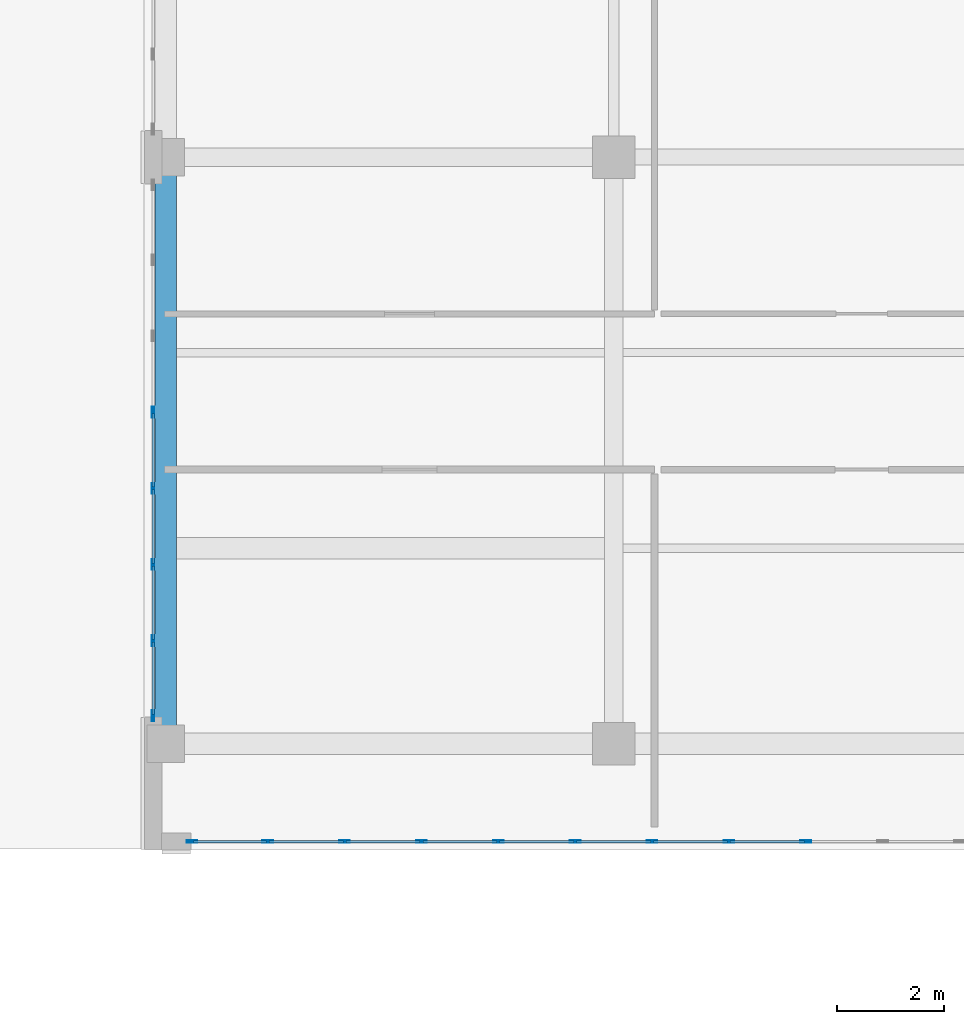
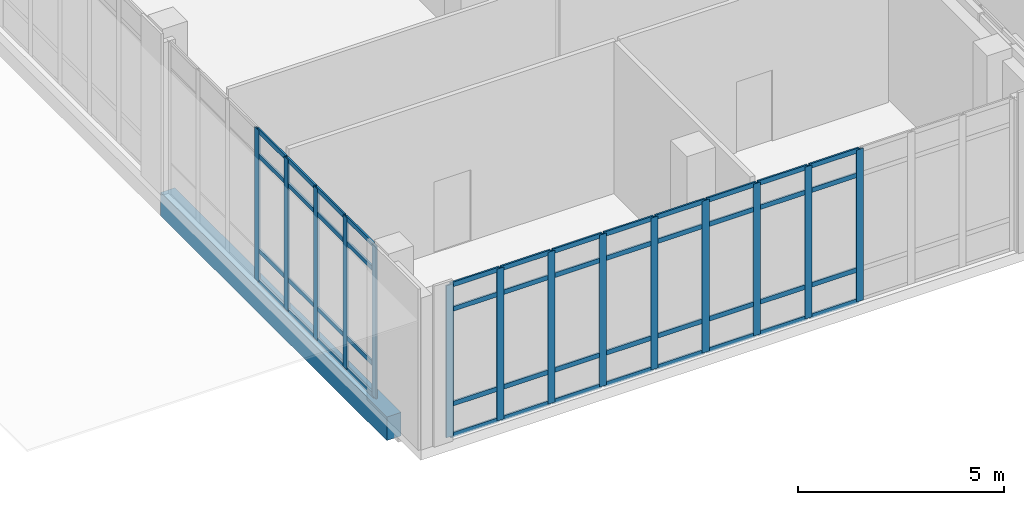
# One storey, part 2 of 189: 62 members, 1 beam, 2 elements without a shape of their own.
"""IFC4 building model written with IfcOpenShell, lengths in metres."""

from ifc_helpers import new_model, si_unit, direction, frame, origin, origin_2d, place, context, subcontext, project, spatial, rectangle, hollow_rectangle, extrude, material, layer, layer_set, material_profile, profile_set, type_object, element, aggregate, save


model = new_model("IFC4")

# Units and contexts
model_context = context("Model", 3, precision=1e-05, world=origin(), true_north=direction((0.0, 1.0)))
body_context = subcontext(model_context, "Body", "Model", "MODEL_VIEW")
ifc_project = project(units=[si_unit("LENGTHUNIT", "METRE"), si_unit("AREAUNIT", "SQUARE_METRE"), si_unit("VOLUMEUNIT", "CUBIC_METRE"), si_unit("PLANEANGLEUNIT", "RADIAN"), si_unit("MASSUNIT", "GRAM", prefix="KILO")], contexts=[model_context])

# Site, building, storey
site_placement = place(None, origin())
site = spatial("IfcSite", under=ifc_project, at=site_placement, CompositionType="ELEMENT")
building_placement = place(site_placement, origin())
building = spatial("IfcBuilding", under=site, at=building_placement, Name="Qalavern Law Courts", CompositionType="ELEMENT")
storey_placement = place(building_placement, frame((0.0, 0.0, 5.39990234375)))
storey = spatial("IfcBuildingStorey", under=building, at=storey_placement, Name="L01", CompositionType="ELEMENT", Elevation=5.39990234375)

# Curtain wall, members
ifc_material_1 = material(Name="Anodised aluminium and insulated glazing", Category="aluminium")
ifc_layer = layer(ifc_material_1, 0.199951171875)
ifc_layer_set = layer_set([ifc_layer], Name="Anodised aluminium and insulated glazing")
curtain_wall_type = type_object("IfcCurtainWallType", Name="ENV-CW-FOYER", PredefinedType="USERDEFINED", material=ifc_layer_set)
curtain_wall_1_placement = place(storey_placement, origin())
curtain_wall_1 = element("IfcCurtainWall", 1, at=curtain_wall_1_placement, inside=storey, type_object=curtain_wall_type, Name="V1 unitised curtain wall L01 south 1", ObjectType="UNITISED CURTAIN WALL", PredefinedType="USERDEFINED")
ifc_material_2 = material(Name="Anodised aluminium", Category="aluminium")
ifc_material_profile_1 = material_profile(ifc_material_2, hollow_rectangle(XDim=0.048095703125, YDim=0.199951171875, WallThickness=0.00439453125, at=origin_2d()), Name="ALU MULLION 48x200")
ifc_profile_set_1 = profile_set([ifc_material_profile_1], Name="Anodised aluminium")
member_type_1 = type_object("IfcMemberType", Name="ENV-CWM-48x200", PredefinedType="MULLION", material=ifc_profile_set_1)
member_1_placement = place(storey_placement, frame((17.2939453125, 8.16259765625, 0.0), z_axis=(0.0, 0.0, 1.0), x_axis=(0.0, 1.0, 0.0)))
member_1 = element("IfcMember", 2, at=member_1_placement, type_object=member_type_1, Name="CW-01 mullion 1", PredefinedType="MULLION", context=body_context, shape_type="SweptSolid", body=[
    extrude(hollow_rectangle(XDim=0.048095703125, YDim=0.199951171875, WallThickness=0.00439453125, at=origin_2d()), origin(), (0.0, 0.0, 1.0), 4.510009765625),
])
member_2_placement = place(storey_placement, frame((18.7119140625, 8.16259765625, 0.0), z_axis=(0.0, 0.0, 1.0), x_axis=(0.0, 1.0, 0.0)))
member_2 = element("IfcMember", 3, at=member_2_placement, type_object=member_type_1, Name="CW-01 mullion 2", PredefinedType="MULLION", context=body_context, shape_type="SweptSolid", body=[
    extrude(hollow_rectangle(XDim=0.048095703125, YDim=0.199951171875, WallThickness=0.00439453125, at=origin_2d()), origin(), (0.0, 0.0, 1.0), 4.510009765625),
])
member_3_placement = place(storey_placement, frame((20.153564453125, 8.16259765625, 0.0), z_axis=(0.0, 0.0, 1.0), x_axis=(0.0, 1.0, 0.0)))
member_3 = element("IfcMember", 4, at=member_3_placement, type_object=member_type_1, Name="CW-01 mullion 3", PredefinedType="MULLION", context=body_context, shape_type="SweptSolid", body=[
    extrude(hollow_rectangle(XDim=0.048095703125, YDim=0.199951171875, WallThickness=0.00439453125, at=origin_2d()), origin(), (0.0, 0.0, 1.0), 4.510009765625),
])
member_4_placement = place(storey_placement, frame((21.595458984375, 8.16259765625, 0.0), z_axis=(0.0, 0.0, 1.0), x_axis=(0.0, 1.0, 0.0)))
member_4 = element("IfcMember", 5, at=member_4_placement, type_object=member_type_1, Name="CW-01 mullion 4", PredefinedType="MULLION", context=body_context, shape_type="SweptSolid", body=[
    extrude(hollow_rectangle(XDim=0.048095703125, YDim=0.199951171875, WallThickness=0.00439453125, at=origin_2d()), origin(), (0.0, 0.0, 1.0), 4.510009765625),
])
member_5_placement = place(storey_placement, frame((23.037353515625, 8.16259765625, 0.0), z_axis=(0.0, 0.0, 1.0), x_axis=(0.0, 1.0, 0.0)))
member_5 = element("IfcMember", 6, at=member_5_placement, type_object=member_type_1, Name="CW-01 mullion 5", PredefinedType="MULLION", context=body_context, shape_type="SweptSolid", body=[
    extrude(hollow_rectangle(XDim=0.048095703125, YDim=0.199951171875, WallThickness=0.00439453125, at=origin_2d()), origin(), (0.0, 0.0, 1.0), 4.510009765625),
])
member_6_placement = place(storey_placement, frame((24.47900390625, 8.16259765625, 0.0), z_axis=(0.0, 0.0, 1.0), x_axis=(0.0, 1.0, 0.0)))
member_6 = element("IfcMember", 7, at=member_6_placement, type_object=member_type_1, Name="CW-01 mullion 6", PredefinedType="MULLION", context=body_context, shape_type="SweptSolid", body=[
    extrude(hollow_rectangle(XDim=0.048095703125, YDim=0.199951171875, WallThickness=0.00439453125, at=origin_2d()), origin(), (0.0, 0.0, 1.0), 4.510009765625),
])
member_7_placement = place(storey_placement, frame((25.9208984375, 8.16259765625, 0.0), z_axis=(0.0, 0.0, 1.0), x_axis=(0.0, 1.0, 0.0)))
member_7 = element("IfcMember", 8, at=member_7_placement, type_object=member_type_1, Name="CW-01 mullion 7", PredefinedType="MULLION", context=body_context, shape_type="SweptSolid", body=[
    extrude(hollow_rectangle(XDim=0.048095703125, YDim=0.199951171875, WallThickness=0.00439453125, at=origin_2d()), origin(), (0.0, 0.0, 1.0), 4.510009765625),
])
member_8_placement = place(storey_placement, frame((27.36279296875, 8.16259765625, 0.0), z_axis=(0.0, 0.0, 1.0), x_axis=(0.0, 1.0, 0.0)))
member_8 = element("IfcMember", 9, at=member_8_placement, type_object=member_type_1, Name="CW-01 mullion 8", PredefinedType="MULLION", context=body_context, shape_type="SweptSolid", body=[
    extrude(hollow_rectangle(XDim=0.048095703125, YDim=0.199951171875, WallThickness=0.00439453125, at=origin_2d()), origin(), (0.0, 0.0, 1.0), 4.510009765625),
])
member_9_placement = place(storey_placement, frame((28.804443359375, 8.16259765625, 0.0), z_axis=(0.0, 0.0, 1.0), x_axis=(0.0, 1.0, 0.0)))
member_9 = element("IfcMember", 10, at=member_9_placement, type_object=member_type_1, Name="CW-01 mullion 9", PredefinedType="MULLION", context=body_context, shape_type="SweptSolid", body=[
    extrude(hollow_rectangle(XDim=0.048095703125, YDim=0.199951171875, WallThickness=0.00439453125, at=origin_2d()), origin(), (0.0, 0.0, 1.0), 4.510009765625),
])

curtain_wall_2_placement = place(storey_placement, origin())
curtain_wall_2 = element("IfcCurtainWall", 11, at=curtain_wall_2_placement, inside=storey, type_object=curtain_wall_type, Name="V1 unitised curtain wall L01 west 2", ObjectType="UNITISED CURTAIN WALL", PredefinedType="USERDEFINED")
member_10_placement = place(storey_placement, frame((16.5625, 16.21435546875, 0.0), z_axis=(0.0, 0.0, 1.0), x_axis=(1.0, 0.0, 0.0)))
member_10 = element("IfcMember", 12, at=member_10_placement, type_object=member_type_1, Name="CW-01 mullion 4", PredefinedType="MULLION", context=body_context, shape_type="SweptSolid", body=[
    extrude(hollow_rectangle(XDim=0.048095703125, YDim=0.199951171875, WallThickness=0.00439453125, at=origin_2d()), origin(), (0.0, 0.0, 1.0), 4.510009765625),
])
member_11_placement = place(storey_placement, frame((16.5625, 14.78564453125, 0.0), z_axis=(0.0, 0.0, 1.0), x_axis=(1.0, 0.0, 0.0)))
member_11 = element("IfcMember", 13, at=member_11_placement, type_object=member_type_1, Name="CW-01 mullion 5", PredefinedType="MULLION", context=body_context, shape_type="SweptSolid", body=[
    extrude(hollow_rectangle(XDim=0.048095703125, YDim=0.199951171875, WallThickness=0.00439453125, at=origin_2d()), origin(), (0.0, 0.0, 1.0), 4.510009765625),
])
member_12_placement = place(storey_placement, frame((16.5625, 13.357177734375, 0.0), z_axis=(0.0, 0.0, 1.0), x_axis=(1.0, 0.0, 0.0)))
member_12 = element("IfcMember", 14, at=member_12_placement, type_object=member_type_1, Name="CW-01 mullion 6", PredefinedType="MULLION", context=body_context, shape_type="SweptSolid", body=[
    extrude(hollow_rectangle(XDim=0.048095703125, YDim=0.199951171875, WallThickness=0.00439453125, at=origin_2d()), origin(), (0.0, 0.0, 1.0), 4.510009765625),
])
member_13_placement = place(storey_placement, frame((16.5625, 11.928466796875, 0.0), z_axis=(0.0, 0.0, 1.0), x_axis=(1.0, 0.0, 0.0)))
member_13 = element("IfcMember", 15, at=member_13_placement, type_object=member_type_1, Name="CW-01 mullion 7", PredefinedType="MULLION", context=body_context, shape_type="SweptSolid", body=[
    extrude(hollow_rectangle(XDim=0.048095703125, YDim=0.199951171875, WallThickness=0.00439453125, at=origin_2d()), origin(), (0.0, 0.0, 1.0), 4.510009765625),
])
member_14_placement = place(storey_placement, frame((16.5625, 10.52392578125, 0.0), z_axis=(0.0, 0.0, 1.0), x_axis=(1.0, 0.0, 0.0)))
member_14 = element("IfcMember", 16, at=member_14_placement, type_object=member_type_1, Name="CW-01 mullion 8", PredefinedType="MULLION", context=body_context, shape_type="SweptSolid", body=[
    extrude(hollow_rectangle(XDim=0.048095703125, YDim=0.199951171875, WallThickness=0.00439453125, at=origin_2d()), origin(), (0.0, 0.0, 1.0), 4.510009765625),
])

# Member
ifc_material_profile_2 = material_profile(ifc_material_2, hollow_rectangle(XDim=0.048095703125, YDim=0.139892578125, WallThickness=0.00390625, at=origin_2d()), Name="ALU TRANSOM 48x140")
ifc_profile_set_2 = profile_set([ifc_material_profile_2], Name="Anodised aluminium")
member_type_2 = type_object("IfcMemberType", Name="ENV-CWT-48x140", PredefinedType="USERDEFINED", material=ifc_profile_set_2)
member_15_placement = place(storey_placement, frame((17.318115234375, 8.16259765625, 0.024169921875), z_axis=(1.0, 0.0, 0.0), x_axis=(0.0, 1.0, 0.0)))
member_15 = element("IfcMember", 17, at=member_15_placement, type_object=member_type_2, Name="CW-01 transom 1.1", ObjectType="TRANSOM", PredefinedType="USERDEFINED", context=body_context, shape_type="SweptSolid", body=[
    extrude(hollow_rectangle(XDim=0.048095703125, YDim=0.139892578125, WallThickness=0.00390625, at=origin_2d()), origin(), (0.0, 0.0, 1.0), 1.36962890625),
])

member_16_placement = place(storey_placement, frame((17.318115234375, 8.16259765625, 0.9501953125), z_axis=(1.0, 0.0, 0.0), x_axis=(0.0, 1.0, 0.0)))
member_16 = element("IfcMember", 18, at=member_16_placement, type_object=member_type_2, Name="CW-01 transom 1.2", ObjectType="TRANSOM", PredefinedType="USERDEFINED", context=body_context, shape_type="SweptSolid", body=[
    extrude(hollow_rectangle(XDim=0.048095703125, YDim=0.139892578125, WallThickness=0.00390625, at=origin_2d()), origin(), (0.0, 0.0, 1.0), 1.36962890625),
])

member_17_placement = place(storey_placement, frame((17.318115234375, 8.16259765625, 3.760009765625), z_axis=(1.0, 0.0, 0.0), x_axis=(0.0, 1.0, 0.0)))
member_17 = element("IfcMember", 19, at=member_17_placement, type_object=member_type_2, Name="CW-01 transom 1.3", ObjectType="TRANSOM", PredefinedType="USERDEFINED", context=body_context, shape_type="SweptSolid", body=[
    extrude(hollow_rectangle(XDim=0.048095703125, YDim=0.139892578125, WallThickness=0.00390625, at=origin_2d()), origin(), (0.0, 0.0, 1.0), 1.36962890625),
])

member_18_placement = place(storey_placement, frame((17.318115234375, 8.16259765625, 4.486083984375), z_axis=(1.0, 0.0, 0.0), x_axis=(0.0, 1.0, 0.0)))
member_18 = element("IfcMember", 20, at=member_18_placement, type_object=member_type_2, Name="CW-01 transom 1.4", ObjectType="TRANSOM", PredefinedType="USERDEFINED", context=body_context, shape_type="SweptSolid", body=[
    extrude(hollow_rectangle(XDim=0.048095703125, YDim=0.139892578125, WallThickness=0.00390625, at=origin_2d()), origin(), (0.0, 0.0, 1.0), 1.36962890625),
])

member_19_placement = place(storey_placement, frame((18.73583984375, 8.16259765625, 0.024169921875), z_axis=(1.0, 0.0, 0.0), x_axis=(0.0, 1.0, 0.0)))
member_19 = element("IfcMember", 21, at=member_19_placement, type_object=member_type_2, Name="CW-01 transom 2.1", ObjectType="TRANSOM", PredefinedType="USERDEFINED", context=body_context, shape_type="SweptSolid", body=[
    extrude(hollow_rectangle(XDim=0.048095703125, YDim=0.139892578125, WallThickness=0.00390625, at=origin_2d()), origin(), (0.0, 0.0, 1.0), 1.393798828125),
])

member_20_placement = place(storey_placement, frame((18.73583984375, 8.16259765625, 0.9501953125), z_axis=(1.0, 0.0, 0.0), x_axis=(0.0, 1.0, 0.0)))
member_20 = element("IfcMember", 22, at=member_20_placement, type_object=member_type_2, Name="CW-01 transom 2.2", ObjectType="TRANSOM", PredefinedType="USERDEFINED", context=body_context, shape_type="SweptSolid", body=[
    extrude(hollow_rectangle(XDim=0.048095703125, YDim=0.139892578125, WallThickness=0.00390625, at=origin_2d()), origin(), (0.0, 0.0, 1.0), 1.393798828125),
])

member_21_placement = place(storey_placement, frame((18.73583984375, 8.16259765625, 3.760009765625), z_axis=(1.0, 0.0, 0.0), x_axis=(0.0, 1.0, 0.0)))
member_21 = element("IfcMember", 23, at=member_21_placement, type_object=member_type_2, Name="CW-01 transom 2.3", ObjectType="TRANSOM", PredefinedType="USERDEFINED", context=body_context, shape_type="SweptSolid", body=[
    extrude(hollow_rectangle(XDim=0.048095703125, YDim=0.139892578125, WallThickness=0.00390625, at=origin_2d()), origin(), (0.0, 0.0, 1.0), 1.393798828125),
])

member_22_placement = place(storey_placement, frame((18.73583984375, 8.16259765625, 4.486083984375), z_axis=(1.0, 0.0, 0.0), x_axis=(0.0, 1.0, 0.0)))
member_22 = element("IfcMember", 24, at=member_22_placement, type_object=member_type_2, Name="CW-01 transom 2.4", ObjectType="TRANSOM", PredefinedType="USERDEFINED", context=body_context, shape_type="SweptSolid", body=[
    extrude(hollow_rectangle(XDim=0.048095703125, YDim=0.139892578125, WallThickness=0.00390625, at=origin_2d()), origin(), (0.0, 0.0, 1.0), 1.393798828125),
])

member_23_placement = place(storey_placement, frame((20.177734375, 8.16259765625, 0.024169921875), z_axis=(1.0, 0.0, 0.0), x_axis=(0.0, 1.0, 0.0)))
member_23 = element("IfcMember", 25, at=member_23_placement, type_object=member_type_2, Name="CW-01 transom 3.1", ObjectType="TRANSOM", PredefinedType="USERDEFINED", context=body_context, shape_type="SweptSolid", body=[
    extrude(hollow_rectangle(XDim=0.048095703125, YDim=0.139892578125, WallThickness=0.00390625, at=origin_2d()), origin(), (0.0, 0.0, 1.0), 1.393798828125),
])

member_24_placement = place(storey_placement, frame((20.177734375, 8.16259765625, 0.9501953125), z_axis=(1.0, 0.0, 0.0), x_axis=(0.0, 1.0, 0.0)))
member_24 = element("IfcMember", 26, at=member_24_placement, type_object=member_type_2, Name="CW-01 transom 3.2", ObjectType="TRANSOM", PredefinedType="USERDEFINED", context=body_context, shape_type="SweptSolid", body=[
    extrude(hollow_rectangle(XDim=0.048095703125, YDim=0.139892578125, WallThickness=0.00390625, at=origin_2d()), origin(), (0.0, 0.0, 1.0), 1.393798828125),
])

member_25_placement = place(storey_placement, frame((20.177734375, 8.16259765625, 3.760009765625), z_axis=(1.0, 0.0, 0.0), x_axis=(0.0, 1.0, 0.0)))
member_25 = element("IfcMember", 27, at=member_25_placement, type_object=member_type_2, Name="CW-01 transom 3.3", ObjectType="TRANSOM", PredefinedType="USERDEFINED", context=body_context, shape_type="SweptSolid", body=[
    extrude(hollow_rectangle(XDim=0.048095703125, YDim=0.139892578125, WallThickness=0.00390625, at=origin_2d()), origin(), (0.0, 0.0, 1.0), 1.393798828125),
])

member_26_placement = place(storey_placement, frame((20.177734375, 8.16259765625, 4.486083984375), z_axis=(1.0, 0.0, 0.0), x_axis=(0.0, 1.0, 0.0)))
member_26 = element("IfcMember", 28, at=member_26_placement, type_object=member_type_2, Name="CW-01 transom 3.4", ObjectType="TRANSOM", PredefinedType="USERDEFINED", context=body_context, shape_type="SweptSolid", body=[
    extrude(hollow_rectangle(XDim=0.048095703125, YDim=0.139892578125, WallThickness=0.00390625, at=origin_2d()), origin(), (0.0, 0.0, 1.0), 1.393798828125),
])

member_27_placement = place(storey_placement, frame((21.619384765625, 8.16259765625, 0.024169921875), z_axis=(1.0, 0.0, 0.0), x_axis=(0.0, 1.0, 0.0)))
member_27 = element("IfcMember", 29, at=member_27_placement, type_object=member_type_2, Name="CW-01 transom 4.1", ObjectType="TRANSOM", PredefinedType="USERDEFINED", context=body_context, shape_type="SweptSolid", body=[
    extrude(hollow_rectangle(XDim=0.048095703125, YDim=0.139892578125, WallThickness=0.00390625, at=origin_2d()), origin(), (0.0, 0.0, 1.0), 1.393798828125),
])

member_28_placement = place(storey_placement, frame((21.619384765625, 8.16259765625, 0.9501953125), z_axis=(1.0, 0.0, 0.0), x_axis=(0.0, 1.0, 0.0)))
member_28 = element("IfcMember", 30, at=member_28_placement, type_object=member_type_2, Name="CW-01 transom 4.2", ObjectType="TRANSOM", PredefinedType="USERDEFINED", context=body_context, shape_type="SweptSolid", body=[
    extrude(hollow_rectangle(XDim=0.048095703125, YDim=0.139892578125, WallThickness=0.00390625, at=origin_2d()), origin(), (0.0, 0.0, 1.0), 1.393798828125),
])

member_29_placement = place(storey_placement, frame((21.619384765625, 8.16259765625, 3.760009765625), z_axis=(1.0, 0.0, 0.0), x_axis=(0.0, 1.0, 0.0)))
member_29 = element("IfcMember", 31, at=member_29_placement, type_object=member_type_2, Name="CW-01 transom 4.3", ObjectType="TRANSOM", PredefinedType="USERDEFINED", context=body_context, shape_type="SweptSolid", body=[
    extrude(hollow_rectangle(XDim=0.048095703125, YDim=0.139892578125, WallThickness=0.00390625, at=origin_2d()), origin(), (0.0, 0.0, 1.0), 1.393798828125),
])

member_30_placement = place(storey_placement, frame((21.619384765625, 8.16259765625, 4.486083984375), z_axis=(1.0, 0.0, 0.0), x_axis=(0.0, 1.0, 0.0)))
member_30 = element("IfcMember", 32, at=member_30_placement, type_object=member_type_2, Name="CW-01 transom 4.4", ObjectType="TRANSOM", PredefinedType="USERDEFINED", context=body_context, shape_type="SweptSolid", body=[
    extrude(hollow_rectangle(XDim=0.048095703125, YDim=0.139892578125, WallThickness=0.00390625, at=origin_2d()), origin(), (0.0, 0.0, 1.0), 1.393798828125),
])

member_31_placement = place(storey_placement, frame((23.061279296875, 8.16259765625, 0.024169921875), z_axis=(1.0, 0.0, 0.0), x_axis=(0.0, 1.0, 0.0)))
member_31 = element("IfcMember", 33, at=member_31_placement, type_object=member_type_2, Name="CW-01 transom 5.1", ObjectType="TRANSOM", PredefinedType="USERDEFINED", context=body_context, shape_type="SweptSolid", body=[
    extrude(hollow_rectangle(XDim=0.048095703125, YDim=0.139892578125, WallThickness=0.00390625, at=origin_2d()), origin(), (0.0, 0.0, 1.0), 1.393798828125),
])

member_32_placement = place(storey_placement, frame((23.061279296875, 8.16259765625, 0.9501953125), z_axis=(1.0, 0.0, 0.0), x_axis=(0.0, 1.0, 0.0)))
member_32 = element("IfcMember", 34, at=member_32_placement, type_object=member_type_2, Name="CW-01 transom 5.2", ObjectType="TRANSOM", PredefinedType="USERDEFINED", context=body_context, shape_type="SweptSolid", body=[
    extrude(hollow_rectangle(XDim=0.048095703125, YDim=0.139892578125, WallThickness=0.00390625, at=origin_2d()), origin(), (0.0, 0.0, 1.0), 1.393798828125),
])

member_33_placement = place(storey_placement, frame((23.061279296875, 8.16259765625, 3.760009765625), z_axis=(1.0, 0.0, 0.0), x_axis=(0.0, 1.0, 0.0)))
member_33 = element("IfcMember", 35, at=member_33_placement, type_object=member_type_2, Name="CW-01 transom 5.3", ObjectType="TRANSOM", PredefinedType="USERDEFINED", context=body_context, shape_type="SweptSolid", body=[
    extrude(hollow_rectangle(XDim=0.048095703125, YDim=0.139892578125, WallThickness=0.00390625, at=origin_2d()), origin(), (0.0, 0.0, 1.0), 1.393798828125),
])

member_34_placement = place(storey_placement, frame((23.061279296875, 8.16259765625, 4.486083984375), z_axis=(1.0, 0.0, 0.0), x_axis=(0.0, 1.0, 0.0)))
member_34 = element("IfcMember", 36, at=member_34_placement, type_object=member_type_2, Name="CW-01 transom 5.4", ObjectType="TRANSOM", PredefinedType="USERDEFINED", context=body_context, shape_type="SweptSolid", body=[
    extrude(hollow_rectangle(XDim=0.048095703125, YDim=0.139892578125, WallThickness=0.00390625, at=origin_2d()), origin(), (0.0, 0.0, 1.0), 1.393798828125),
])

member_35_placement = place(storey_placement, frame((24.503173828125, 8.16259765625, 0.024169921875), z_axis=(1.0, 0.0, 0.0), x_axis=(0.0, 1.0, 0.0)))
member_35 = element("IfcMember", 37, at=member_35_placement, type_object=member_type_2, Name="CW-01 transom 6.1", ObjectType="TRANSOM", PredefinedType="USERDEFINED", context=body_context, shape_type="SweptSolid", body=[
    extrude(hollow_rectangle(XDim=0.048095703125, YDim=0.139892578125, WallThickness=0.00390625, at=origin_2d()), origin(), (0.0, 0.0, 1.0), 1.393798828125),
])

member_36_placement = place(storey_placement, frame((24.503173828125, 8.16259765625, 0.9501953125), z_axis=(1.0, 0.0, 0.0), x_axis=(0.0, 1.0, 0.0)))
member_36 = element("IfcMember", 38, at=member_36_placement, type_object=member_type_2, Name="CW-01 transom 6.2", ObjectType="TRANSOM", PredefinedType="USERDEFINED", context=body_context, shape_type="SweptSolid", body=[
    extrude(hollow_rectangle(XDim=0.048095703125, YDim=0.139892578125, WallThickness=0.00390625, at=origin_2d()), origin(), (0.0, 0.0, 1.0), 1.393798828125),
])

member_37_placement = place(storey_placement, frame((24.503173828125, 8.16259765625, 3.760009765625), z_axis=(1.0, 0.0, 0.0), x_axis=(0.0, 1.0, 0.0)))
member_37 = element("IfcMember", 39, at=member_37_placement, type_object=member_type_2, Name="CW-01 transom 6.3", ObjectType="TRANSOM", PredefinedType="USERDEFINED", context=body_context, shape_type="SweptSolid", body=[
    extrude(hollow_rectangle(XDim=0.048095703125, YDim=0.139892578125, WallThickness=0.00390625, at=origin_2d()), origin(), (0.0, 0.0, 1.0), 1.393798828125),
])

member_38_placement = place(storey_placement, frame((24.503173828125, 8.16259765625, 4.486083984375), z_axis=(1.0, 0.0, 0.0), x_axis=(0.0, 1.0, 0.0)))
member_38 = element("IfcMember", 40, at=member_38_placement, type_object=member_type_2, Name="CW-01 transom 6.4", ObjectType="TRANSOM", PredefinedType="USERDEFINED", context=body_context, shape_type="SweptSolid", body=[
    extrude(hollow_rectangle(XDim=0.048095703125, YDim=0.139892578125, WallThickness=0.00390625, at=origin_2d()), origin(), (0.0, 0.0, 1.0), 1.393798828125),
])

member_39_placement = place(storey_placement, frame((25.94482421875, 8.16259765625, 0.024169921875), z_axis=(1.0, 0.0, 0.0), x_axis=(0.0, 1.0, 0.0)))
member_39 = element("IfcMember", 41, at=member_39_placement, type_object=member_type_2, Name="CW-01 transom 7.1", ObjectType="TRANSOM", PredefinedType="USERDEFINED", context=body_context, shape_type="SweptSolid", body=[
    extrude(hollow_rectangle(XDim=0.048095703125, YDim=0.139892578125, WallThickness=0.00390625, at=origin_2d()), origin(), (0.0, 0.0, 1.0), 1.393798828125),
])

member_40_placement = place(storey_placement, frame((25.94482421875, 8.16259765625, 0.9501953125), z_axis=(1.0, 0.0, 0.0), x_axis=(0.0, 1.0, 0.0)))
member_40 = element("IfcMember", 42, at=member_40_placement, type_object=member_type_2, Name="CW-01 transom 7.2", ObjectType="TRANSOM", PredefinedType="USERDEFINED", context=body_context, shape_type="SweptSolid", body=[
    extrude(hollow_rectangle(XDim=0.048095703125, YDim=0.139892578125, WallThickness=0.00390625, at=origin_2d()), origin(), (0.0, 0.0, 1.0), 1.393798828125),
])

member_41_placement = place(storey_placement, frame((25.94482421875, 8.16259765625, 3.760009765625), z_axis=(1.0, 0.0, 0.0), x_axis=(0.0, 1.0, 0.0)))
member_41 = element("IfcMember", 43, at=member_41_placement, type_object=member_type_2, Name="CW-01 transom 7.3", ObjectType="TRANSOM", PredefinedType="USERDEFINED", context=body_context, shape_type="SweptSolid", body=[
    extrude(hollow_rectangle(XDim=0.048095703125, YDim=0.139892578125, WallThickness=0.00390625, at=origin_2d()), origin(), (0.0, 0.0, 1.0), 1.393798828125),
])

member_42_placement = place(storey_placement, frame((25.94482421875, 8.16259765625, 4.486083984375), z_axis=(1.0, 0.0, 0.0), x_axis=(0.0, 1.0, 0.0)))
member_42 = element("IfcMember", 44, at=member_42_placement, type_object=member_type_2, Name="CW-01 transom 7.4", ObjectType="TRANSOM", PredefinedType="USERDEFINED", context=body_context, shape_type="SweptSolid", body=[
    extrude(hollow_rectangle(XDim=0.048095703125, YDim=0.139892578125, WallThickness=0.00390625, at=origin_2d()), origin(), (0.0, 0.0, 1.0), 1.393798828125),
])

member_43_placement = place(storey_placement, frame((27.38671875, 8.16259765625, 0.024169921875), z_axis=(1.0, 0.0, 0.0), x_axis=(0.0, 1.0, 0.0)))
member_43 = element("IfcMember", 45, at=member_43_placement, type_object=member_type_2, Name="CW-01 transom 8.1", ObjectType="TRANSOM", PredefinedType="USERDEFINED", context=body_context, shape_type="SweptSolid", body=[
    extrude(hollow_rectangle(XDim=0.048095703125, YDim=0.139892578125, WallThickness=0.00390625, at=origin_2d()), origin(), (0.0, 0.0, 1.0), 1.393798828125),
])

member_44_placement = place(storey_placement, frame((27.38671875, 8.16259765625, 0.9501953125), z_axis=(1.0, 0.0, 0.0), x_axis=(0.0, 1.0, 0.0)))
member_44 = element("IfcMember", 46, at=member_44_placement, type_object=member_type_2, Name="CW-01 transom 8.2", ObjectType="TRANSOM", PredefinedType="USERDEFINED", context=body_context, shape_type="SweptSolid", body=[
    extrude(hollow_rectangle(XDim=0.048095703125, YDim=0.139892578125, WallThickness=0.00390625, at=origin_2d()), origin(), (0.0, 0.0, 1.0), 1.393798828125),
])

member_45_placement = place(storey_placement, frame((27.38671875, 8.16259765625, 3.760009765625), z_axis=(1.0, 0.0, 0.0), x_axis=(0.0, 1.0, 0.0)))
member_45 = element("IfcMember", 47, at=member_45_placement, type_object=member_type_2, Name="CW-01 transom 8.3", ObjectType="TRANSOM", PredefinedType="USERDEFINED", context=body_context, shape_type="SweptSolid", body=[
    extrude(hollow_rectangle(XDim=0.048095703125, YDim=0.139892578125, WallThickness=0.00390625, at=origin_2d()), origin(), (0.0, 0.0, 1.0), 1.393798828125),
])

member_46_placement = place(storey_placement, frame((27.38671875, 8.16259765625, 4.486083984375), z_axis=(1.0, 0.0, 0.0), x_axis=(0.0, 1.0, 0.0)))
member_46 = element("IfcMember", 48, at=member_46_placement, type_object=member_type_2, Name="CW-01 transom 8.4", ObjectType="TRANSOM", PredefinedType="USERDEFINED", context=body_context, shape_type="SweptSolid", body=[
    extrude(hollow_rectangle(XDim=0.048095703125, YDim=0.139892578125, WallThickness=0.00390625, at=origin_2d()), origin(), (0.0, 0.0, 1.0), 1.393798828125),
])

aggregate(curtain_wall_1, [member_1, member_2, member_3, member_4, member_5, member_6, member_7, member_8, member_9, member_15, member_16, member_17, member_18, member_19, member_20, member_21, member_22, member_23, member_24, member_25, member_26, member_27, member_28, member_29, member_30, member_31, member_32, member_33, member_34, member_35, member_36, member_37, member_38, member_39, member_40, member_41, member_42, member_43, member_44, member_45, member_46])

member_47_placement = place(storey_placement, frame((16.5625, 16.190185546875, 0.024169921875), z_axis=(0.0, -1.0, 0.0), x_axis=(1.0, 0.0, 0.0)))
member_47 = element("IfcMember", 49, at=member_47_placement, type_object=member_type_2, Name="CW-01 transom 4.1", ObjectType="TRANSOM", PredefinedType="USERDEFINED", context=body_context, shape_type="SweptSolid", body=[
    extrude(hollow_rectangle(XDim=0.048095703125, YDim=0.139892578125, WallThickness=0.00390625, at=origin_2d()), origin(), (0.0, 0.0, 1.0), 1.38037109375),
])

member_48_placement = place(storey_placement, frame((16.5625, 16.190185546875, 0.9501953125), z_axis=(0.0, -1.0, 0.0), x_axis=(1.0, 0.0, 0.0)))
member_48 = element("IfcMember", 50, at=member_48_placement, type_object=member_type_2, Name="CW-01 transom 4.2", ObjectType="TRANSOM", PredefinedType="USERDEFINED", context=body_context, shape_type="SweptSolid", body=[
    extrude(hollow_rectangle(XDim=0.048095703125, YDim=0.139892578125, WallThickness=0.00390625, at=origin_2d()), origin(), (0.0, 0.0, 1.0), 1.38037109375),
])

member_49_placement = place(storey_placement, frame((16.5625, 16.190185546875, 3.760009765625), z_axis=(0.0, -1.0, 0.0), x_axis=(1.0, 0.0, 0.0)))
member_49 = element("IfcMember", 51, at=member_49_placement, type_object=member_type_2, Name="CW-01 transom 4.3", ObjectType="TRANSOM", PredefinedType="USERDEFINED", context=body_context, shape_type="SweptSolid", body=[
    extrude(hollow_rectangle(XDim=0.048095703125, YDim=0.139892578125, WallThickness=0.00390625, at=origin_2d()), origin(), (0.0, 0.0, 1.0), 1.38037109375),
])

member_50_placement = place(storey_placement, frame((16.5625, 16.190185546875, 4.486083984375), z_axis=(0.0, -1.0, 0.0), x_axis=(1.0, 0.0, 0.0)))
member_50 = element("IfcMember", 52, at=member_50_placement, type_object=member_type_2, Name="CW-01 transom 4.4", ObjectType="TRANSOM", PredefinedType="USERDEFINED", context=body_context, shape_type="SweptSolid", body=[
    extrude(hollow_rectangle(XDim=0.048095703125, YDim=0.139892578125, WallThickness=0.00390625, at=origin_2d()), origin(), (0.0, 0.0, 1.0), 1.38037109375),
])

member_51_placement = place(storey_placement, frame((16.5625, 14.76171875, 0.024169921875), z_axis=(0.0, -1.0, 0.0), x_axis=(1.0, 0.0, 0.0)))
member_51 = element("IfcMember", 53, at=member_51_placement, type_object=member_type_2, Name="CW-01 transom 5.1", ObjectType="TRANSOM", PredefinedType="USERDEFINED", context=body_context, shape_type="SweptSolid", body=[
    extrude(hollow_rectangle(XDim=0.048095703125, YDim=0.139892578125, WallThickness=0.00390625, at=origin_2d()), origin(), (0.0, 0.0, 1.0), 1.380615234375),
])

member_52_placement = place(storey_placement, frame((16.5625, 14.76171875, 0.9501953125), z_axis=(0.0, -1.0, 0.0), x_axis=(1.0, 0.0, 0.0)))
member_52 = element("IfcMember", 54, at=member_52_placement, type_object=member_type_2, Name="CW-01 transom 5.2", ObjectType="TRANSOM", PredefinedType="USERDEFINED", context=body_context, shape_type="SweptSolid", body=[
    extrude(hollow_rectangle(XDim=0.048095703125, YDim=0.139892578125, WallThickness=0.00390625, at=origin_2d()), origin(), (0.0, 0.0, 1.0), 1.380615234375),
])

member_53_placement = place(storey_placement, frame((16.5625, 14.76171875, 3.760009765625), z_axis=(0.0, -1.0, 0.0), x_axis=(1.0, 0.0, 0.0)))
member_53 = element("IfcMember", 55, at=member_53_placement, type_object=member_type_2, Name="CW-01 transom 5.3", ObjectType="TRANSOM", PredefinedType="USERDEFINED", context=body_context, shape_type="SweptSolid", body=[
    extrude(hollow_rectangle(XDim=0.048095703125, YDim=0.139892578125, WallThickness=0.00390625, at=origin_2d()), origin(), (0.0, 0.0, 1.0), 1.380615234375),
])

member_54_placement = place(storey_placement, frame((16.5625, 14.76171875, 4.486083984375), z_axis=(0.0, -1.0, 0.0), x_axis=(1.0, 0.0, 0.0)))
member_54 = element("IfcMember", 56, at=member_54_placement, type_object=member_type_2, Name="CW-01 transom 5.4", ObjectType="TRANSOM", PredefinedType="USERDEFINED", context=body_context, shape_type="SweptSolid", body=[
    extrude(hollow_rectangle(XDim=0.048095703125, YDim=0.139892578125, WallThickness=0.00390625, at=origin_2d()), origin(), (0.0, 0.0, 1.0), 1.380615234375),
])

member_55_placement = place(storey_placement, frame((16.5625, 13.333251953125, 0.024169921875), z_axis=(0.0, -1.0, 0.0), x_axis=(1.0, 0.0, 0.0)))
member_55 = element("IfcMember", 57, at=member_55_placement, type_object=member_type_2, Name="CW-01 transom 6.1", ObjectType="TRANSOM", PredefinedType="USERDEFINED", context=body_context, shape_type="SweptSolid", body=[
    extrude(hollow_rectangle(XDim=0.048095703125, YDim=0.139892578125, WallThickness=0.00390625, at=origin_2d()), origin(), (0.0, 0.0, 1.0), 1.380615234375),
])

member_56_placement = place(storey_placement, frame((16.5625, 13.333251953125, 0.9501953125), z_axis=(0.0, -1.0, 0.0), x_axis=(1.0, 0.0, 0.0)))
member_56 = element("IfcMember", 58, at=member_56_placement, type_object=member_type_2, Name="CW-01 transom 6.2", ObjectType="TRANSOM", PredefinedType="USERDEFINED", context=body_context, shape_type="SweptSolid", body=[
    extrude(hollow_rectangle(XDim=0.048095703125, YDim=0.139892578125, WallThickness=0.00390625, at=origin_2d()), origin(), (0.0, 0.0, 1.0), 1.380615234375),
])

member_57_placement = place(storey_placement, frame((16.5625, 13.333251953125, 3.760009765625), z_axis=(0.0, -1.0, 0.0), x_axis=(1.0, 0.0, 0.0)))
member_57 = element("IfcMember", 59, at=member_57_placement, type_object=member_type_2, Name="CW-01 transom 6.3", ObjectType="TRANSOM", PredefinedType="USERDEFINED", context=body_context, shape_type="SweptSolid", body=[
    extrude(hollow_rectangle(XDim=0.048095703125, YDim=0.139892578125, WallThickness=0.00390625, at=origin_2d()), origin(), (0.0, 0.0, 1.0), 1.380615234375),
])

member_58_placement = place(storey_placement, frame((16.5625, 13.333251953125, 4.486083984375), z_axis=(0.0, -1.0, 0.0), x_axis=(1.0, 0.0, 0.0)))
member_58 = element("IfcMember", 60, at=member_58_placement, type_object=member_type_2, Name="CW-01 transom 6.4", ObjectType="TRANSOM", PredefinedType="USERDEFINED", context=body_context, shape_type="SweptSolid", body=[
    extrude(hollow_rectangle(XDim=0.048095703125, YDim=0.139892578125, WallThickness=0.00390625, at=origin_2d()), origin(), (0.0, 0.0, 1.0), 1.380615234375),
])

member_59_placement = place(storey_placement, frame((16.5625, 11.904541015625, 0.024169921875), z_axis=(0.0, -1.0, 0.0), x_axis=(1.0, 0.0, 0.0)))
member_59 = element("IfcMember", 61, at=member_59_placement, type_object=member_type_2, Name="CW-01 transom 7.1", ObjectType="TRANSOM", PredefinedType="USERDEFINED", context=body_context, shape_type="SweptSolid", body=[
    extrude(hollow_rectangle(XDim=0.048095703125, YDim=0.139892578125, WallThickness=0.00390625, at=origin_2d()), origin(), (0.0, 0.0, 1.0), 1.3564453125),
])

member_60_placement = place(storey_placement, frame((16.5625, 11.904541015625, 0.9501953125), z_axis=(0.0, -1.0, 0.0), x_axis=(1.0, 0.0, 0.0)))
member_60 = element("IfcMember", 62, at=member_60_placement, type_object=member_type_2, Name="CW-01 transom 7.2", ObjectType="TRANSOM", PredefinedType="USERDEFINED", context=body_context, shape_type="SweptSolid", body=[
    extrude(hollow_rectangle(XDim=0.048095703125, YDim=0.139892578125, WallThickness=0.00390625, at=origin_2d()), origin(), (0.0, 0.0, 1.0), 1.3564453125),
])

member_61_placement = place(storey_placement, frame((16.5625, 11.904541015625, 3.760009765625), z_axis=(0.0, -1.0, 0.0), x_axis=(1.0, 0.0, 0.0)))
member_61 = element("IfcMember", 63, at=member_61_placement, type_object=member_type_2, Name="CW-01 transom 7.3", ObjectType="TRANSOM", PredefinedType="USERDEFINED", context=body_context, shape_type="SweptSolid", body=[
    extrude(hollow_rectangle(XDim=0.048095703125, YDim=0.139892578125, WallThickness=0.00390625, at=origin_2d()), origin(), (0.0, 0.0, 1.0), 1.3564453125),
])

member_62_placement = place(storey_placement, frame((16.5625, 11.904541015625, 4.486083984375), z_axis=(0.0, -1.0, 0.0), x_axis=(1.0, 0.0, 0.0)))
member_62 = element("IfcMember", 64, at=member_62_placement, type_object=member_type_2, Name="CW-01 transom 7.4", ObjectType="TRANSOM", PredefinedType="USERDEFINED", context=body_context, shape_type="SweptSolid", body=[
    extrude(hollow_rectangle(XDim=0.048095703125, YDim=0.139892578125, WallThickness=0.00390625, at=origin_2d()), origin(), (0.0, 0.0, 1.0), 1.3564453125),
])

aggregate(curtain_wall_2, [member_10, member_11, member_12, member_13, member_14, member_47, member_48, member_49, member_50, member_51, member_52, member_53, member_54, member_55, member_56, member_57, member_58, member_59, member_60, member_61, member_62])

# Beam
ifc_material_3 = material(Name="Concrete C40/50", Category="concrete")
ifc_material_profile_3 = material_profile(ifc_material_3, rectangle(XDim=0.39990234375, YDim=0.699951171875, at=origin_2d()), Name="RC 400x700")
ifc_profile_set_3 = profile_set([ifc_material_profile_3], Name="Concrete C40/50")
beam_type = type_object("IfcBeamType", Name="STR-SP-RC400x700", PredefinedType="SPANDREL", material=ifc_profile_set_3)
beam_placement = place(storey_placement, frame((16.800048828125, 10.0, -0.64990234375), z_axis=(0.0, 1.0, 0.0), x_axis=(-1.0, 0.0, 0.0)))
element("IfcBeam", 65, at=beam_placement, inside=storey, type_object=beam_type, Name="V1 Y-beam 1-1 L01", PredefinedType="SPANDREL", context=body_context, shape_type="SweptSolid", body=[
    extrude(rectangle(XDim=0.39990234375, YDim=0.699951171875, at=origin_2d()), origin(), (0.0, 0.0, 1.0), 11.0),
])

save(model, "model.ifc")
